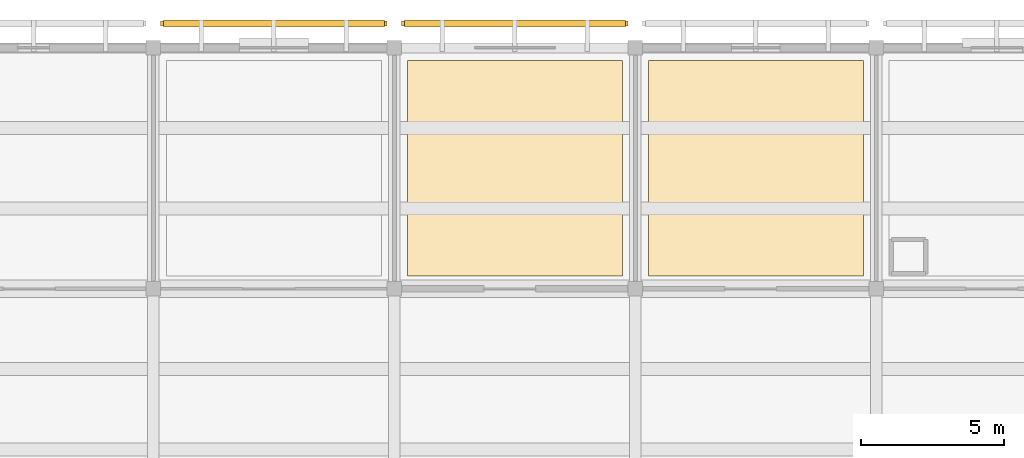
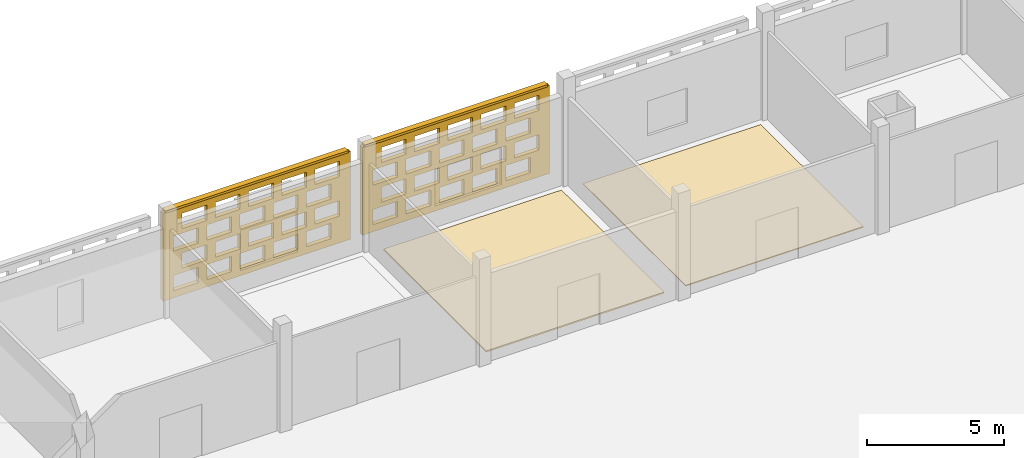
# One storey, part 107 of 129: 4 coverings, 2 shading devices, 40 openings.
"""IFC4 building model written with IfcOpenShell, lengths in metres."""

from ifc_helpers import new_model, si_unit, direction, frame, frame_2d, origin, origin_2d, place, context, subcontext, project, spatial, rectangle, extrude, material, layer, layer_set, type_object, element, save


model = new_model("IFC4")

# Units and contexts
model_context = context("Model", 3, precision=1e-05, world=origin(), true_north=direction((0.0, 1.0)))
body_context = subcontext(model_context, "Body", "Model", "MODEL_VIEW")
ifc_project = project(units=[si_unit("LENGTHUNIT", "METRE"), si_unit("AREAUNIT", "SQUARE_METRE"), si_unit("VOLUMEUNIT", "CUBIC_METRE"), si_unit("PLANEANGLEUNIT", "RADIAN"), si_unit("MASSUNIT", "GRAM", prefix="KILO")], contexts=[model_context])

# Site, building, storey
site_placement = place(None, origin())
site = spatial("IfcSite", under=ifc_project, at=site_placement, CompositionType="ELEMENT")
building_placement = place(site_placement, origin())
building = spatial("IfcBuilding", under=site, at=building_placement, Name="Varnapada Polytechnic", CompositionType="ELEMENT")
storey_placement = place(building_placement, origin())
storey = spatial("IfcBuildingStorey", under=building, at=storey_placement, Name="L00", CompositionType="ELEMENT", Elevation=0.0)

# Coverings
ifc_material_1 = material(Name="Anti-Static Raised Laboratory Flooring")
ifc_layer_1 = layer(ifc_material_1, 0.06005859375)
ifc_layer_set_1 = layer_set([ifc_layer_1], Name="Anti-Static Raised Laboratory Flooring")
covering_type_1 = type_object("IfcCoveringType", Name="Floor Finish FLR-02", PredefinedType="FLOORING", material=ifc_layer_set_1)
covering_1_placement = place(storey_placement, frame((88.199951171875, 121.800048828125, 0.0), z_axis=(0.0, 0.0, 1.0), x_axis=(1.0, 0.0, 0.0)))
element("IfcCovering", 1, at=covering_1_placement, inside=storey, type_object=covering_type_1, Name="L00 floor finish panel (11,15)", PredefinedType="FLOORING", context=body_context, shape_type="SweptSolid", body=[
    extrude(rectangle(XDim=7.5, YDim=7.5, at=origin_2d()), origin(), (0.0, 0.0, 1.0), 0.06005859375),
])
ifc_material_2 = material(Name="Acoustic Rubber Seminar Flooring")
ifc_layer_2 = layer(ifc_material_2, 0.0400390625)
ifc_layer_set_2 = layer_set([ifc_layer_2], Name="Acoustic Rubber Seminar Flooring")
covering_type_2 = type_object("IfcCoveringType", Name="Floor Finish FLR-06", PredefinedType="FLOORING", material=ifc_layer_set_2)
covering_2_placement = place(storey_placement, frame((96.60009765625, 121.800048828125, 0.0), z_axis=(0.0, 0.0, 1.0), x_axis=(1.0, 0.0, 0.0)))
element("IfcCovering", 2, at=covering_2_placement, inside=storey, type_object=covering_type_2, Name="L00 floor finish panel (12,15)", PredefinedType="FLOORING", context=body_context, shape_type="SweptSolid", body=[
    extrude(rectangle(XDim=7.5, YDim=7.5, at=origin_2d()), origin(), (0.0, 0.0, 1.0), 0.0400390625),
])

# Covering, openings
ifc_material_3 = material(Name="Earth-toned architectural terracotta screen block", Category="masonry")
ifc_layer_3 = layer(ifc_material_3, 0.1201171875)
ifc_layer_set_3 = layer_set([ifc_layer_3], Name="Earth-toned architectural terracotta screen block")
covering_type_3 = type_object("IfcCoveringType", Name="Terracotta Screen Cladding CLD-01", PredefinedType="CLADDING", material=ifc_layer_set_3)
covering_3_placement = place(storey_placement, frame((75.85009765625, 126.85009765625, 0.0), z_axis=(0.0, 0.0, 1.0), x_axis=(1.0, 0.0, 0.0)))
covering_3 = element("IfcCovering", 3, at=covering_3_placement, inside=storey, type_object=covering_type_3, Name="L00 perforated terracotta block screen (55)", PredefinedType="CLADDING", context=body_context, shape_type="SweptSolid", body=[
    extrude(rectangle(XDim=7.89990234375, YDim=0.179931640625, at=frame_2d((3.949951171875, 0.0))), origin(), (0.0, 0.0, 1.0), 3.919921875),
])
opening_1_placement = place(covering_3_placement, frame((0.449951171875, 0.0, 0.313720703125)))
element("IfcOpeningElement", 4, at=opening_1_placement, cuts=covering_3, Name="Screen perforation TBS-L00-054.1", PredefinedType="OPENING", context=body_context, shape_type="SweptSolid", body=[
    extrude(rectangle(XDim=1.0400390625, YDim=0.679931640625, at=frame_2d((0.52001953125, 0.33984375))), frame((0.0, 0.099853515625, 0.0), z_axis=(0.0, -1.0, 0.0), x_axis=(1.0, 0.0, 0.0)), (0.0, 0.0, 1.0), 0.199951171875),
])
opening_2_placement = place(covering_3_placement, frame((1.85009765625, 0.0, 0.313720703125)))
element("IfcOpeningElement", 5, at=opening_2_placement, cuts=covering_3, Name="Screen perforation TBS-L00-054.2", PredefinedType="OPENING", context=body_context, shape_type="SweptSolid", body=[
    extrude(rectangle(XDim=1.0400390625, YDim=0.679931640625, at=frame_2d((0.52001953125, 0.33984375))), frame((0.0, 0.099853515625, 0.0), z_axis=(0.0, -1.0, 0.0), x_axis=(1.0, 0.0, 0.0)), (0.0, 0.0, 1.0), 0.199951171875),
])
opening_3_placement = place(covering_3_placement, frame((3.25, 0.0, 0.313720703125)))
element("IfcOpeningElement", 6, at=opening_3_placement, cuts=covering_3, Name="Screen perforation TBS-L00-054.3", PredefinedType="OPENING", context=body_context, shape_type="SweptSolid", body=[
    extrude(rectangle(XDim=1.0400390625, YDim=0.679931640625, at=frame_2d((0.52001953125, 0.33984375))), frame((0.0, 0.099853515625, 0.0), z_axis=(0.0, -1.0, 0.0), x_axis=(1.0, 0.0, 0.0)), (0.0, 0.0, 1.0), 0.199951171875),
])
opening_4_placement = place(covering_3_placement, frame((4.64990234375, 0.0, 0.313720703125)))
element("IfcOpeningElement", 7, at=opening_4_placement, cuts=covering_3, Name="Screen perforation TBS-L00-054.4", PredefinedType="OPENING", context=body_context, shape_type="SweptSolid", body=[
    extrude(rectangle(XDim=1.0400390625, YDim=0.679931640625, at=frame_2d((0.52001953125, 0.33984375))), frame((0.0, 0.099853515625, 0.0), z_axis=(0.0, -1.0, 0.0), x_axis=(1.0, 0.0, 0.0)), (0.0, 0.0, 1.0), 0.199951171875),
])
opening_5_placement = place(covering_3_placement, frame((6.050048828125, 0.0, 0.313720703125)))
element("IfcOpeningElement", 8, at=opening_5_placement, cuts=covering_3, Name="Screen perforation TBS-L00-054.5", PredefinedType="OPENING", context=body_context, shape_type="SweptSolid", body=[
    extrude(rectangle(XDim=1.0400390625, YDim=0.679931640625, at=frame_2d((0.52001953125, 0.33984375))), frame((0.0, 0.099853515625, 0.0), z_axis=(0.0, -1.0, 0.0), x_axis=(1.0, 0.0, 0.0)), (0.0, 0.0, 1.0), 0.199951171875),
])
opening_6_placement = place(covering_3_placement, frame((0.81005859375, 0.0, 1.195556640625)))
element("IfcOpeningElement", 9, at=opening_6_placement, cuts=covering_3, Name="Screen perforation TBS-L00-054.6", PredefinedType="OPENING", context=body_context, shape_type="SweptSolid", body=[
    extrude(rectangle(XDim=1.0400390625, YDim=0.679931640625, at=frame_2d((0.52001953125, 0.33984375))), frame((0.0, 0.099853515625, 0.0), z_axis=(0.0, -1.0, 0.0), x_axis=(1.0, 0.0, 0.0)), (0.0, 0.0, 1.0), 0.199951171875),
])
opening_7_placement = place(covering_3_placement, frame((2.2099609375, 0.0, 1.195556640625)))
element("IfcOpeningElement", 10, at=opening_7_placement, cuts=covering_3, Name="Screen perforation TBS-L00-054.7", PredefinedType="OPENING", context=body_context, shape_type="SweptSolid", body=[
    extrude(rectangle(XDim=1.0400390625, YDim=0.679931640625, at=frame_2d((0.52001953125, 0.33984375))), frame((0.0, 0.099853515625, 0.0), z_axis=(0.0, -1.0, 0.0), x_axis=(1.0, 0.0, 0.0)), (0.0, 0.0, 1.0), 0.199951171875),
])
opening_8_placement = place(covering_3_placement, frame((3.610107421875, 0.0, 1.195556640625)))
element("IfcOpeningElement", 11, at=opening_8_placement, cuts=covering_3, Name="Screen perforation TBS-L00-054.8", PredefinedType="OPENING", context=body_context, shape_type="SweptSolid", body=[
    extrude(rectangle(XDim=1.0400390625, YDim=0.679931640625, at=frame_2d((0.52001953125, 0.33984375))), frame((0.0, 0.099853515625, 0.0), z_axis=(0.0, -1.0, 0.0), x_axis=(1.0, 0.0, 0.0)), (0.0, 0.0, 1.0), 0.199951171875),
])
opening_9_placement = place(covering_3_placement, frame((5.010009765625, 0.0, 1.195556640625)))
element("IfcOpeningElement", 12, at=opening_9_placement, cuts=covering_3, Name="Screen perforation TBS-L00-054.9", PredefinedType="OPENING", context=body_context, shape_type="SweptSolid", body=[
    extrude(rectangle(XDim=1.0400390625, YDim=0.679931640625, at=frame_2d((0.52001953125, 0.33984375))), frame((0.0, 0.099853515625, 0.0), z_axis=(0.0, -1.0, 0.0), x_axis=(1.0, 0.0, 0.0)), (0.0, 0.0, 1.0), 0.199951171875),
])
opening_10_placement = place(covering_3_placement, frame((6.409912109375, 0.0, 1.195556640625)))
element("IfcOpeningElement", 13, at=opening_10_placement, cuts=covering_3, Name="Screen perforation TBS-L00-054.10", PredefinedType="OPENING", context=body_context, shape_type="SweptSolid", body=[
    extrude(rectangle(XDim=1.0400390625, YDim=0.679931640625, at=frame_2d((0.52001953125, 0.33984375))), frame((0.0, 0.099853515625, 0.0), z_axis=(0.0, -1.0, 0.0), x_axis=(1.0, 0.0, 0.0)), (0.0, 0.0, 1.0), 0.199951171875),
])
opening_11_placement = place(covering_3_placement, frame((0.449951171875, 0.0, 2.07763671875)))
element("IfcOpeningElement", 14, at=opening_11_placement, cuts=covering_3, Name="Screen perforation TBS-L00-054.11", PredefinedType="OPENING", context=body_context, shape_type="SweptSolid", body=[
    extrude(rectangle(XDim=1.0400390625, YDim=0.679931640625, at=frame_2d((0.52001953125, 0.33984375))), frame((0.0, 0.099853515625, 0.0), z_axis=(0.0, -1.0, 0.0), x_axis=(1.0, 0.0, 0.0)), (0.0, 0.0, 1.0), 0.199951171875),
])
opening_12_placement = place(covering_3_placement, frame((1.85009765625, 0.0, 2.07763671875)))
element("IfcOpeningElement", 15, at=opening_12_placement, cuts=covering_3, Name="Screen perforation TBS-L00-054.12", PredefinedType="OPENING", context=body_context, shape_type="SweptSolid", body=[
    extrude(rectangle(XDim=1.0400390625, YDim=0.679931640625, at=frame_2d((0.52001953125, 0.33984375))), frame((0.0, 0.099853515625, 0.0), z_axis=(0.0, -1.0, 0.0), x_axis=(1.0, 0.0, 0.0)), (0.0, 0.0, 1.0), 0.199951171875),
])
opening_13_placement = place(covering_3_placement, frame((3.25, 0.0, 2.07763671875)))
element("IfcOpeningElement", 16, at=opening_13_placement, cuts=covering_3, Name="Screen perforation TBS-L00-054.13", PredefinedType="OPENING", context=body_context, shape_type="SweptSolid", body=[
    extrude(rectangle(XDim=1.0400390625, YDim=0.679931640625, at=frame_2d((0.52001953125, 0.33984375))), frame((0.0, 0.099853515625, 0.0), z_axis=(0.0, -1.0, 0.0), x_axis=(1.0, 0.0, 0.0)), (0.0, 0.0, 1.0), 0.199951171875),
])
opening_14_placement = place(covering_3_placement, frame((4.64990234375, 0.0, 2.07763671875)))
element("IfcOpeningElement", 17, at=opening_14_placement, cuts=covering_3, Name="Screen perforation TBS-L00-054.14", PredefinedType="OPENING", context=body_context, shape_type="SweptSolid", body=[
    extrude(rectangle(XDim=1.0400390625, YDim=0.679931640625, at=frame_2d((0.52001953125, 0.33984375))), frame((0.0, 0.099853515625, 0.0), z_axis=(0.0, -1.0, 0.0), x_axis=(1.0, 0.0, 0.0)), (0.0, 0.0, 1.0), 0.199951171875),
])
opening_15_placement = place(covering_3_placement, frame((6.050048828125, 0.0, 2.07763671875)))
element("IfcOpeningElement", 18, at=opening_15_placement, cuts=covering_3, Name="Screen perforation TBS-L00-054.15", PredefinedType="OPENING", context=body_context, shape_type="SweptSolid", body=[
    extrude(rectangle(XDim=1.0400390625, YDim=0.679931640625, at=frame_2d((0.52001953125, 0.33984375))), frame((0.0, 0.099853515625, 0.0), z_axis=(0.0, -1.0, 0.0), x_axis=(1.0, 0.0, 0.0)), (0.0, 0.0, 1.0), 0.199951171875),
])
opening_16_placement = place(covering_3_placement, frame((0.81005859375, 0.0, 2.959716796875)))
element("IfcOpeningElement", 19, at=opening_16_placement, cuts=covering_3, Name="Screen perforation TBS-L00-054.16", PredefinedType="OPENING", context=body_context, shape_type="SweptSolid", body=[
    extrude(rectangle(XDim=1.0400390625, YDim=0.679931640625, at=frame_2d((0.52001953125, 0.33984375))), frame((0.0, 0.099853515625, 0.0), z_axis=(0.0, -1.0, 0.0), x_axis=(1.0, 0.0, 0.0)), (0.0, 0.0, 1.0), 0.199951171875),
])
opening_17_placement = place(covering_3_placement, frame((2.2099609375, 0.0, 2.959716796875)))
element("IfcOpeningElement", 20, at=opening_17_placement, cuts=covering_3, Name="Screen perforation TBS-L00-054.17", PredefinedType="OPENING", context=body_context, shape_type="SweptSolid", body=[
    extrude(rectangle(XDim=1.0400390625, YDim=0.679931640625, at=frame_2d((0.52001953125, 0.33984375))), frame((0.0, 0.099853515625, 0.0), z_axis=(0.0, -1.0, 0.0), x_axis=(1.0, 0.0, 0.0)), (0.0, 0.0, 1.0), 0.199951171875),
])
opening_18_placement = place(covering_3_placement, frame((3.610107421875, 0.0, 2.959716796875)))
element("IfcOpeningElement", 21, at=opening_18_placement, cuts=covering_3, Name="Screen perforation TBS-L00-054.18", PredefinedType="OPENING", context=body_context, shape_type="SweptSolid", body=[
    extrude(rectangle(XDim=1.0400390625, YDim=0.679931640625, at=frame_2d((0.52001953125, 0.33984375))), frame((0.0, 0.099853515625, 0.0), z_axis=(0.0, -1.0, 0.0), x_axis=(1.0, 0.0, 0.0)), (0.0, 0.0, 1.0), 0.199951171875),
])
opening_19_placement = place(covering_3_placement, frame((5.010009765625, 0.0, 2.959716796875)))
element("IfcOpeningElement", 22, at=opening_19_placement, cuts=covering_3, Name="Screen perforation TBS-L00-054.19", PredefinedType="OPENING", context=body_context, shape_type="SweptSolid", body=[
    extrude(rectangle(XDim=1.0400390625, YDim=0.679931640625, at=frame_2d((0.52001953125, 0.33984375))), frame((0.0, 0.099853515625, 0.0), z_axis=(0.0, -1.0, 0.0), x_axis=(1.0, 0.0, 0.0)), (0.0, 0.0, 1.0), 0.199951171875),
])
opening_20_placement = place(covering_3_placement, frame((6.409912109375, 0.0, 2.959716796875)))
element("IfcOpeningElement", 23, at=opening_20_placement, cuts=covering_3, Name="Screen perforation TBS-L00-054.20", PredefinedType="OPENING", context=body_context, shape_type="SweptSolid", body=[
    extrude(rectangle(XDim=1.0400390625, YDim=0.679931640625, at=frame_2d((0.52001953125, 0.33984375))), frame((0.0, 0.099853515625, 0.0), z_axis=(0.0, -1.0, 0.0), x_axis=(1.0, 0.0, 0.0)), (0.0, 0.0, 1.0), 0.199951171875),
])

covering_4_placement = place(storey_placement, frame((84.25, 126.85009765625, 0.0), z_axis=(0.0, 0.0, 1.0), x_axis=(1.0, 0.0, 0.0)))
covering_4 = element("IfcCovering", 24, at=covering_4_placement, inside=storey, type_object=covering_type_3, Name="L00 perforated terracotta block screen (59)", PredefinedType="CLADDING", context=body_context, shape_type="SweptSolid", body=[
    extrude(rectangle(XDim=7.89990234375, YDim=0.179931640625, at=frame_2d((3.949951171875, 0.0))), origin(), (0.0, 0.0, 1.0), 3.919921875),
])
opening_21_placement = place(covering_4_placement, frame((0.449951171875, 0.0, 0.313720703125)))
element("IfcOpeningElement", 25, at=opening_21_placement, cuts=covering_4, Name="Screen perforation TBS-L00-058.1", PredefinedType="OPENING", context=body_context, shape_type="SweptSolid", body=[
    extrude(rectangle(XDim=1.0400390625, YDim=0.679931640625, at=frame_2d((0.52001953125, 0.33984375))), frame((0.0, 0.099853515625, 0.0), z_axis=(0.0, -1.0, 0.0), x_axis=(1.0, 0.0, 0.0)), (0.0, 0.0, 1.0), 0.199951171875),
])
opening_22_placement = place(covering_4_placement, frame((1.85009765625, 0.0, 0.313720703125)))
element("IfcOpeningElement", 26, at=opening_22_placement, cuts=covering_4, Name="Screen perforation TBS-L00-058.2", PredefinedType="OPENING", context=body_context, shape_type="SweptSolid", body=[
    extrude(rectangle(XDim=1.0400390625, YDim=0.679931640625, at=frame_2d((0.52001953125, 0.33984375))), frame((0.0, 0.099853515625, 0.0), z_axis=(0.0, -1.0, 0.0), x_axis=(1.0, 0.0, 0.0)), (0.0, 0.0, 1.0), 0.199951171875),
])
opening_23_placement = place(covering_4_placement, frame((3.25, 0.0, 0.313720703125)))
element("IfcOpeningElement", 27, at=opening_23_placement, cuts=covering_4, Name="Screen perforation TBS-L00-058.3", PredefinedType="OPENING", context=body_context, shape_type="SweptSolid", body=[
    extrude(rectangle(XDim=1.0400390625, YDim=0.679931640625, at=frame_2d((0.52001953125, 0.33984375))), frame((0.0, 0.099853515625, 0.0), z_axis=(0.0, -1.0, 0.0), x_axis=(1.0, 0.0, 0.0)), (0.0, 0.0, 1.0), 0.199951171875),
])
opening_24_placement = place(covering_4_placement, frame((4.64990234375, 0.0, 0.313720703125)))
element("IfcOpeningElement", 28, at=opening_24_placement, cuts=covering_4, Name="Screen perforation TBS-L00-058.4", PredefinedType="OPENING", context=body_context, shape_type="SweptSolid", body=[
    extrude(rectangle(XDim=1.0400390625, YDim=0.679931640625, at=frame_2d((0.52001953125, 0.33984375))), frame((0.0, 0.099853515625, 0.0), z_axis=(0.0, -1.0, 0.0), x_axis=(1.0, 0.0, 0.0)), (0.0, 0.0, 1.0), 0.199951171875),
])
opening_25_placement = place(covering_4_placement, frame((6.050048828125, 0.0, 0.313720703125)))
element("IfcOpeningElement", 29, at=opening_25_placement, cuts=covering_4, Name="Screen perforation TBS-L00-058.5", PredefinedType="OPENING", context=body_context, shape_type="SweptSolid", body=[
    extrude(rectangle(XDim=1.0400390625, YDim=0.679931640625, at=frame_2d((0.52001953125, 0.33984375))), frame((0.0, 0.099853515625, 0.0), z_axis=(0.0, -1.0, 0.0), x_axis=(1.0, 0.0, 0.0)), (0.0, 0.0, 1.0), 0.199951171875),
])
opening_26_placement = place(covering_4_placement, frame((0.81005859375, 0.0, 1.195556640625)))
element("IfcOpeningElement", 30, at=opening_26_placement, cuts=covering_4, Name="Screen perforation TBS-L00-058.6", PredefinedType="OPENING", context=body_context, shape_type="SweptSolid", body=[
    extrude(rectangle(XDim=1.0400390625, YDim=0.679931640625, at=frame_2d((0.52001953125, 0.33984375))), frame((0.0, 0.099853515625, 0.0), z_axis=(0.0, -1.0, 0.0), x_axis=(1.0, 0.0, 0.0)), (0.0, 0.0, 1.0), 0.199951171875),
])
opening_27_placement = place(covering_4_placement, frame((2.2099609375, 0.0, 1.195556640625)))
element("IfcOpeningElement", 31, at=opening_27_placement, cuts=covering_4, Name="Screen perforation TBS-L00-058.7", PredefinedType="OPENING", context=body_context, shape_type="SweptSolid", body=[
    extrude(rectangle(XDim=1.0400390625, YDim=0.679931640625, at=frame_2d((0.52001953125, 0.33984375))), frame((0.0, 0.099853515625, 0.0), z_axis=(0.0, -1.0, 0.0), x_axis=(1.0, 0.0, 0.0)), (0.0, 0.0, 1.0), 0.199951171875),
])
opening_28_placement = place(covering_4_placement, frame((3.610107421875, 0.0, 1.195556640625)))
element("IfcOpeningElement", 32, at=opening_28_placement, cuts=covering_4, Name="Screen perforation TBS-L00-058.8", PredefinedType="OPENING", context=body_context, shape_type="SweptSolid", body=[
    extrude(rectangle(XDim=1.0400390625, YDim=0.679931640625, at=frame_2d((0.52001953125, 0.33984375))), frame((0.0, 0.099853515625, 0.0), z_axis=(0.0, -1.0, 0.0), x_axis=(1.0, 0.0, 0.0)), (0.0, 0.0, 1.0), 0.199951171875),
])
opening_29_placement = place(covering_4_placement, frame((5.010009765625, 0.0, 1.195556640625)))
element("IfcOpeningElement", 33, at=opening_29_placement, cuts=covering_4, Name="Screen perforation TBS-L00-058.9", PredefinedType="OPENING", context=body_context, shape_type="SweptSolid", body=[
    extrude(rectangle(XDim=1.0400390625, YDim=0.679931640625, at=frame_2d((0.52001953125, 0.33984375))), frame((0.0, 0.099853515625, 0.0), z_axis=(0.0, -1.0, 0.0), x_axis=(1.0, 0.0, 0.0)), (0.0, 0.0, 1.0), 0.199951171875),
])
opening_30_placement = place(covering_4_placement, frame((6.409912109375, 0.0, 1.195556640625)))
element("IfcOpeningElement", 34, at=opening_30_placement, cuts=covering_4, Name="Screen perforation TBS-L00-058.10", PredefinedType="OPENING", context=body_context, shape_type="SweptSolid", body=[
    extrude(rectangle(XDim=1.0400390625, YDim=0.679931640625, at=frame_2d((0.52001953125, 0.33984375))), frame((0.0, 0.099853515625, 0.0), z_axis=(0.0, -1.0, 0.0), x_axis=(1.0, 0.0, 0.0)), (0.0, 0.0, 1.0), 0.199951171875),
])
opening_31_placement = place(covering_4_placement, frame((0.449951171875, 0.0, 2.07763671875)))
element("IfcOpeningElement", 35, at=opening_31_placement, cuts=covering_4, Name="Screen perforation TBS-L00-058.11", PredefinedType="OPENING", context=body_context, shape_type="SweptSolid", body=[
    extrude(rectangle(XDim=1.0400390625, YDim=0.679931640625, at=frame_2d((0.52001953125, 0.33984375))), frame((0.0, 0.099853515625, 0.0), z_axis=(0.0, -1.0, 0.0), x_axis=(1.0, 0.0, 0.0)), (0.0, 0.0, 1.0), 0.199951171875),
])
opening_32_placement = place(covering_4_placement, frame((1.85009765625, 0.0, 2.07763671875)))
element("IfcOpeningElement", 36, at=opening_32_placement, cuts=covering_4, Name="Screen perforation TBS-L00-058.12", PredefinedType="OPENING", context=body_context, shape_type="SweptSolid", body=[
    extrude(rectangle(XDim=1.0400390625, YDim=0.679931640625, at=frame_2d((0.52001953125, 0.33984375))), frame((0.0, 0.099853515625, 0.0), z_axis=(0.0, -1.0, 0.0), x_axis=(1.0, 0.0, 0.0)), (0.0, 0.0, 1.0), 0.199951171875),
])
opening_33_placement = place(covering_4_placement, frame((3.25, 0.0, 2.07763671875)))
element("IfcOpeningElement", 37, at=opening_33_placement, cuts=covering_4, Name="Screen perforation TBS-L00-058.13", PredefinedType="OPENING", context=body_context, shape_type="SweptSolid", body=[
    extrude(rectangle(XDim=1.0400390625, YDim=0.679931640625, at=frame_2d((0.52001953125, 0.33984375))), frame((0.0, 0.099853515625, 0.0), z_axis=(0.0, -1.0, 0.0), x_axis=(1.0, 0.0, 0.0)), (0.0, 0.0, 1.0), 0.199951171875),
])
opening_34_placement = place(covering_4_placement, frame((4.64990234375, 0.0, 2.07763671875)))
element("IfcOpeningElement", 38, at=opening_34_placement, cuts=covering_4, Name="Screen perforation TBS-L00-058.14", PredefinedType="OPENING", context=body_context, shape_type="SweptSolid", body=[
    extrude(rectangle(XDim=1.0400390625, YDim=0.679931640625, at=frame_2d((0.52001953125, 0.33984375))), frame((0.0, 0.099853515625, 0.0), z_axis=(0.0, -1.0, 0.0), x_axis=(1.0, 0.0, 0.0)), (0.0, 0.0, 1.0), 0.199951171875),
])
opening_35_placement = place(covering_4_placement, frame((6.050048828125, 0.0, 2.07763671875)))
element("IfcOpeningElement", 39, at=opening_35_placement, cuts=covering_4, Name="Screen perforation TBS-L00-058.15", PredefinedType="OPENING", context=body_context, shape_type="SweptSolid", body=[
    extrude(rectangle(XDim=1.0400390625, YDim=0.679931640625, at=frame_2d((0.52001953125, 0.33984375))), frame((0.0, 0.099853515625, 0.0), z_axis=(0.0, -1.0, 0.0), x_axis=(1.0, 0.0, 0.0)), (0.0, 0.0, 1.0), 0.199951171875),
])
opening_36_placement = place(covering_4_placement, frame((0.81005859375, 0.0, 2.959716796875)))
element("IfcOpeningElement", 40, at=opening_36_placement, cuts=covering_4, Name="Screen perforation TBS-L00-058.16", PredefinedType="OPENING", context=body_context, shape_type="SweptSolid", body=[
    extrude(rectangle(XDim=1.0400390625, YDim=0.679931640625, at=frame_2d((0.52001953125, 0.33984375))), frame((0.0, 0.099853515625, 0.0), z_axis=(0.0, -1.0, 0.0), x_axis=(1.0, 0.0, 0.0)), (0.0, 0.0, 1.0), 0.199951171875),
])
opening_37_placement = place(covering_4_placement, frame((2.2099609375, 0.0, 2.959716796875)))
element("IfcOpeningElement", 41, at=opening_37_placement, cuts=covering_4, Name="Screen perforation TBS-L00-058.17", PredefinedType="OPENING", context=body_context, shape_type="SweptSolid", body=[
    extrude(rectangle(XDim=1.0400390625, YDim=0.679931640625, at=frame_2d((0.52001953125, 0.33984375))), frame((0.0, 0.099853515625, 0.0), z_axis=(0.0, -1.0, 0.0), x_axis=(1.0, 0.0, 0.0)), (0.0, 0.0, 1.0), 0.199951171875),
])
opening_38_placement = place(covering_4_placement, frame((3.610107421875, 0.0, 2.959716796875)))
element("IfcOpeningElement", 42, at=opening_38_placement, cuts=covering_4, Name="Screen perforation TBS-L00-058.18", PredefinedType="OPENING", context=body_context, shape_type="SweptSolid", body=[
    extrude(rectangle(XDim=1.0400390625, YDim=0.679931640625, at=frame_2d((0.52001953125, 0.33984375))), frame((0.0, 0.099853515625, 0.0), z_axis=(0.0, -1.0, 0.0), x_axis=(1.0, 0.0, 0.0)), (0.0, 0.0, 1.0), 0.199951171875),
])
opening_39_placement = place(covering_4_placement, frame((5.010009765625, 0.0, 2.959716796875)))
element("IfcOpeningElement", 43, at=opening_39_placement, cuts=covering_4, Name="Screen perforation TBS-L00-058.19", PredefinedType="OPENING", context=body_context, shape_type="SweptSolid", body=[
    extrude(rectangle(XDim=1.0400390625, YDim=0.679931640625, at=frame_2d((0.52001953125, 0.33984375))), frame((0.0, 0.099853515625, 0.0), z_axis=(0.0, -1.0, 0.0), x_axis=(1.0, 0.0, 0.0)), (0.0, 0.0, 1.0), 0.199951171875),
])
opening_40_placement = place(covering_4_placement, frame((6.409912109375, 0.0, 2.959716796875)))
element("IfcOpeningElement", 44, at=opening_40_placement, cuts=covering_4, Name="Screen perforation TBS-L00-058.20", PredefinedType="OPENING", context=body_context, shape_type="SweptSolid", body=[
    extrude(rectangle(XDim=1.0400390625, YDim=0.679931640625, at=frame_2d((0.52001953125, 0.33984375))), frame((0.0, 0.099853515625, 0.0), z_axis=(0.0, -1.0, 0.0), x_axis=(1.0, 0.0, 0.0)), (0.0, 0.0, 1.0), 0.199951171875),
])

# Shading devices
ifc_layer_4 = layer(ifc_material_3, 0.179931640625)
ifc_layer_set_4 = layer_set([ifc_layer_4], Name="Earth-toned architectural terracotta screen block")
shading_device_type = type_object("IfcShadingDeviceType", Name="Terracotta Screen SCR-02", PredefinedType="USERDEFINED", material=ifc_layer_set_4)
for number, where, z_axis, x_axis, name in (
    (45, (79.800048828125, 126.85009765625, 3.909912109375), (0.0, 0.0, 1.0), (1.0, 0.0, 0.0), "L00 perforated terracotta screen hood 41"),
    (46, (88.199951171875, 126.85009765625, 3.909912109375), (0.0, 0.0, 1.0), (1.0, 0.0, 0.0), "L00 perforated terracotta screen hood 42"),
):
    element("IfcShadingDevice", number, at=place(storey_placement, frame(where, z_axis=z_axis, x_axis=x_axis)), inside=storey, type_object=shading_device_type, Name=name, ObjectType="SCREEN", PredefinedType="USERDEFINED", context=body_context, shape_type="SweptSolid", body=[
        extrude(rectangle(XDim=7.699951171875, YDim=0.239990234375, at=origin_2d()), origin(), (0.0, 0.0, 1.0), 0.10009765625),
    ])

save(model, "model.ifc")
